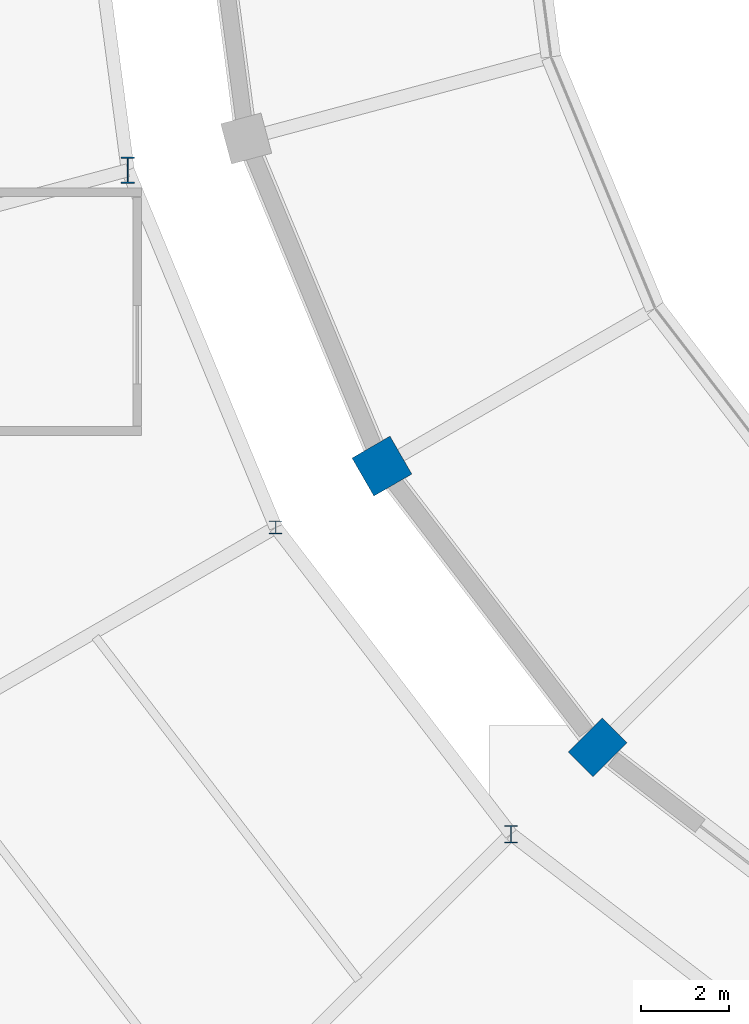
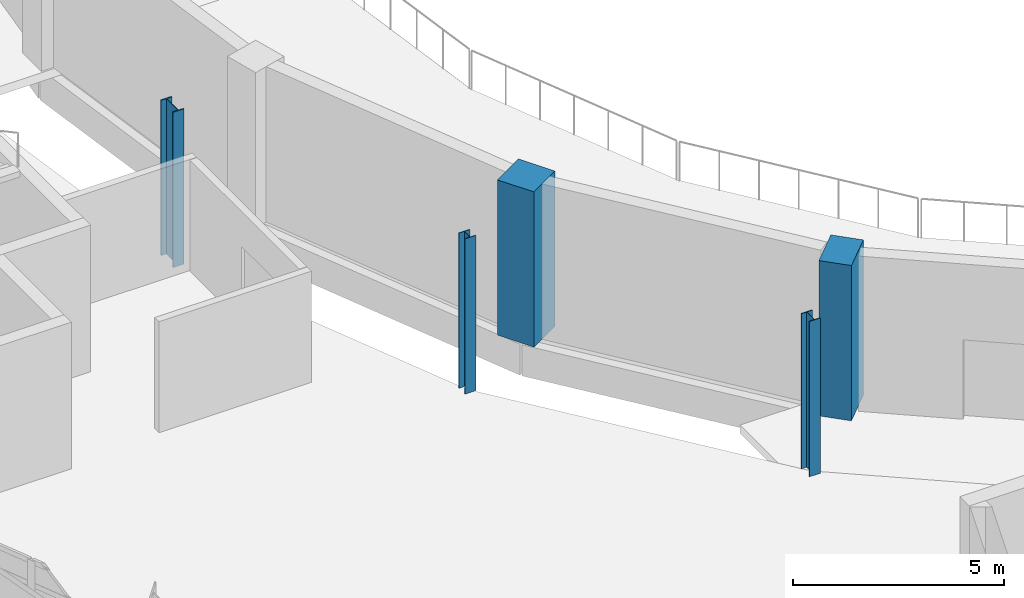
# One storey, part 3 of 87: 5 columns.
"""IFC4 building model written with IfcOpenShell, lengths in metres."""

from ifc_helpers import new_model, si_unit, direction, frame, origin, origin_2d, place, context, subcontext, project, spatial, rectangle, i_section, extrude, material, material_profile, profile_set, type_object, element, save


model = new_model("IFC4")

# Units and contexts
model_context = context("Model", 3, precision=1e-05, world=origin(), true_north=direction((0.0, 1.0)))
body_context = subcontext(model_context, "Body", "Model", "MODEL_VIEW")
ifc_project = project(units=[si_unit("LENGTHUNIT", "METRE"), si_unit("AREAUNIT", "SQUARE_METRE"), si_unit("VOLUMEUNIT", "CUBIC_METRE"), si_unit("PLANEANGLEUNIT", "RADIAN"), si_unit("MASSUNIT", "GRAM", prefix="KILO")], contexts=[model_context])

# Site, building, storey
site_placement = place(None, origin())
site = spatial("IfcSite", under=ifc_project, at=site_placement, CompositionType="ELEMENT")
building_placement = place(site_placement, origin())
building = spatial("IfcBuilding", under=site, at=building_placement, Name="Sohan Crest Arena", CompositionType="ELEMENT")
storey_placement = place(building_placement, frame((0.0, 0.0, 18.0)))
storey = spatial("IfcBuildingStorey", under=building, at=storey_placement, Name="L04", CompositionType="ELEMENT", Elevation=18.0)

# Columns
ifc_material_1 = material(Name="Concrete C40/50", Category="concrete")
ifc_material_profile_1 = material_profile(ifc_material_1, rectangle(XDim=1.0, YDim=1.0, at=origin_2d()), Name="RC 1000x1000")
ifc_profile_set_1 = profile_set([ifc_material_profile_1], Name="Concrete C40/50")
column_type_1 = type_object("IfcColumnType", Name="STR-COL-C09", PredefinedType="COLUMN", material=ifc_profile_set_1)
column_1_placement = place(storey_placement, frame((71.153076171875, 62.5, 0.0), z_axis=(0.0, 0.0, 1.0), x_axis=(0.866025403784, 0.5, 0.0)))
element("IfcColumn", 1, at=column_1_placement, inside=storey, type_object=column_type_1, Name="Structural column COL-V1R-09-L04", PredefinedType="COLUMN", context=body_context, shape_type="SweptSolid", body=[
    extrude(rectangle(XDim=1.0, YDim=1.0, at=origin_2d()), origin(), (0.0, 0.0, 1.0), 4.5),
])
ifc_material_profile_2 = material_profile(ifc_material_1, rectangle(XDim=1.10009765625, YDim=0.800048828125, at=origin_2d()), Name="RC 1100x800")
ifc_profile_set_2 = profile_set([ifc_material_profile_2], Name="Concrete C40/50")
column_type_2 = type_object("IfcColumnType", Name="STR-COL-C10", PredefinedType="COLUMN", material=ifc_profile_set_2)
column_2_placement = place(storey_placement, frame((76.080078125, 56.080078125, 0.0), z_axis=(0.0, 0.0, 1.0), x_axis=(0.707106781187, 0.707106781187, 0.0)))
element("IfcColumn", 2, at=column_2_placement, inside=storey, type_object=column_type_2, Name="Structural column COL-V1R-10-L04", PredefinedType="COLUMN", context=body_context, shape_type="SweptSolid", body=[
    extrude(rectangle(XDim=1.10009765625, YDim=0.800048828125, at=origin_2d()), origin(), (0.0, 0.0, 1.0), 4.5),
])
ifc_material_2 = material(Name="Steel S355", Category="steel")
ifc_material_profile_3 = material_profile(ifc_material_2, i_section(OverallWidth=0.300048828125, OverallDepth=0.300048828125, WebThickness=0.010986328125, FlangeThickness=0.01904296875, at=origin_2d()), Name="HEB 300")
ifc_profile_set_3 = profile_set([ifc_material_profile_3], Name="Steel S355")
column_type_3 = type_object("IfcColumnType", Name="STR-COL-C17", PredefinedType="COLUMN", material=ifc_profile_set_3)
column_3_placement = place(storey_placement, frame((68.72802734375, 61.10009765625, 0.0), z_axis=(0.0, 0.0, 1.0), x_axis=(1.0, 0.0, 0.0)))
element("IfcColumn", 3, at=column_3_placement, inside=storey, type_object=column_type_3, Name="Structural column COL-V2I-09-L04", PredefinedType="COLUMN", context=body_context, shape_type="SweptSolid", body=[
    extrude(i_section(OverallWidth=0.300048828125, OverallDepth=0.300048828125, WebThickness=0.010986328125, FlangeThickness=0.01904296875, at=origin_2d()), origin(), (0.0, 0.0, 1.0), 4.5),
])
ifc_material_profile_4 = material_profile(ifc_material_2, i_section(OverallWidth=0.300048828125, OverallDepth=0.39990234375, WebThickness=0.013427734375, FlangeThickness=0.02392578125, at=origin_2d()), Name="HEB 400")
ifc_profile_set_4 = profile_set([ifc_material_profile_4], Name="Steel S355")
column_type_4 = type_object("IfcColumnType", Name="STR-COL-C18", PredefinedType="COLUMN", material=ifc_profile_set_4)
column_4_placement = place(storey_placement, frame((74.10009765625, 54.10009765625, 0.0), z_axis=(0.0, 0.0, 1.0), x_axis=(1.0, 0.0, 0.0)))
element("IfcColumn", 4, at=column_4_placement, inside=storey, type_object=column_type_4, Name="Structural column COL-V2I-10-L04", PredefinedType="COLUMN", context=body_context, shape_type="SweptSolid", body=[
    extrude(i_section(OverallWidth=0.300048828125, OverallDepth=0.39990234375, WebThickness=0.013427734375, FlangeThickness=0.02392578125, at=origin_2d()), origin(), (0.0, 0.0, 1.0), 4.5),
])
ifc_material_profile_5 = material_profile(ifc_material_2, i_section(OverallWidth=0.300048828125, OverallDepth=0.60009765625, WebThickness=0.015380859375, FlangeThickness=0.030029296875, at=origin_2d()), Name="HEB 600")
ifc_profile_set_5 = profile_set([ifc_material_profile_5], Name="Steel S355")
column_type_5 = type_object("IfcColumnType", Name="STR-COL-C20", PredefinedType="COLUMN", material=ifc_profile_set_5)
column_5_placement = place(storey_placement, frame((65.35205078125, 69.251953125, 0.0), z_axis=(0.0, 0.0, 1.0), x_axis=(1.0, 0.0, 0.0)))
element("IfcColumn", 5, at=column_5_placement, inside=storey, type_object=column_type_5, Name="Structural column COL-V2I-08-L04", PredefinedType="COLUMN", context=body_context, shape_type="SweptSolid", body=[
    extrude(i_section(OverallWidth=0.300048828125, OverallDepth=0.60009765625, WebThickness=0.015380859375, FlangeThickness=0.030029296875, at=origin_2d()), origin(), (0.0, 0.0, 1.0), 4.5),
])

save(model, "model.ifc")
